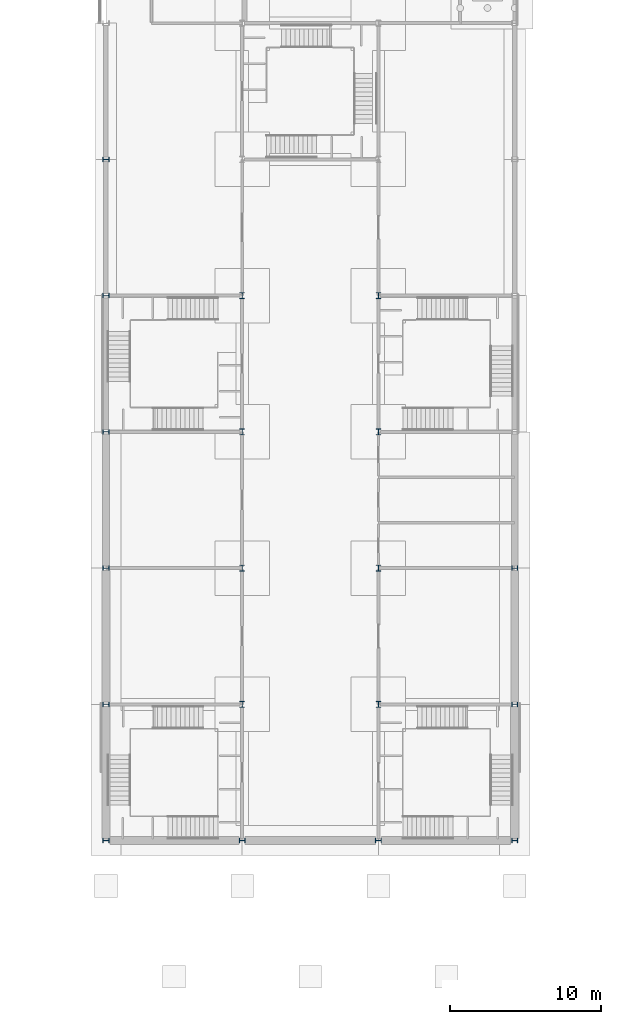
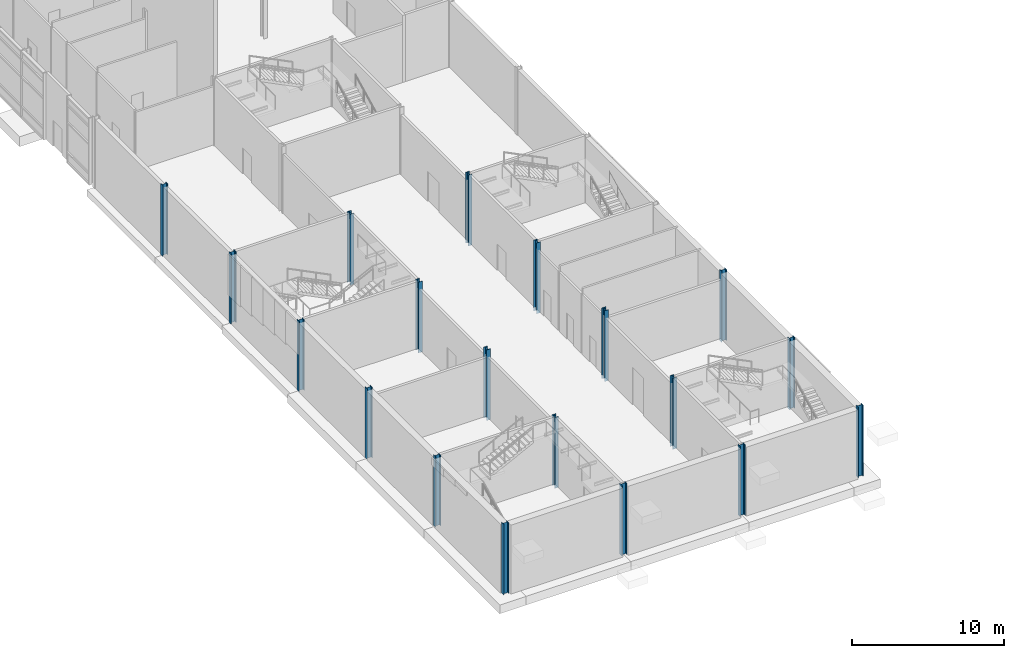
# One storey, part 4 of 45: 19 columns.
"""IFC4 building model written with IfcOpenShell, lengths in metres."""

from ifc_helpers import new_model, si_unit, direction, frame, origin, origin_2d, place, context, subcontext, project, spatial, i_section, extrude, material, material_profile, profile_set, type_object, element, save


model = new_model("IFC4")

# Units and contexts
model_context = context("Model", 3, precision=1e-05, world=origin(), true_north=direction((0.0, 1.0)))
body_context = subcontext(model_context, "Body", "Model", "MODEL_VIEW")
ifc_project = project(units=[si_unit("LENGTHUNIT", "METRE"), si_unit("AREAUNIT", "SQUARE_METRE"), si_unit("VOLUMEUNIT", "CUBIC_METRE"), si_unit("PLANEANGLEUNIT", "RADIAN"), si_unit("MASSUNIT", "GRAM", prefix="KILO")], contexts=[model_context])

# Site, building, storey
site_placement = place(None, origin())
site = spatial("IfcSite", under=ifc_project, at=site_placement, CompositionType="ELEMENT")
building_placement = place(site_placement, origin())
building = spatial("IfcBuilding", under=site, at=building_placement, Name="Azimuth Sports and Learning Centre", CompositionType="ELEMENT")
storey_placement = place(building_placement, origin())
storey = spatial("IfcBuildingStorey", under=building, at=storey_placement, Name="L00", CompositionType="ELEMENT", Elevation=0.0)

# Columns
ifc_material = material(Name="Steel S355", Category="steel")
ifc_material_profile = material_profile(ifc_material, i_section(OverallWidth=0.300048828125, OverallDepth=0.39990234375, WebThickness=0.013427734375, FlangeThickness=0.02392578125, FilletRadius=0.027099609375, at=origin_2d()), Name="HEB 400")
ifc_profile_set = profile_set([ifc_material_profile], Name="Steel S355")
column_type = type_object("IfcColumnType", Name="Column HEB 400", PredefinedType="COLUMN", material=ifc_profile_set)
for number, where, z_axis, x_axis, name in (
    (1, (72.0, 0.0, -0.300048828125), (0.0, 0.0, 1.0), (0.0, 1.0, 0.0), "Column 9A L00"),
    (2, (81.0, 0.0, -0.300048828125), (0.0, 0.0, 1.0), (0.0, 1.0, 0.0), "Column 10A L00"),
    (3, (90.0, 0.0, -0.300048828125), (0.0, 0.0, 1.0), (0.0, 1.0, 0.0), "Column 11A L00"),
    (4, (99.0, 0.0, -0.300048828125), (0.0, 0.0, 1.0), (0.0, 1.0, 0.0), "Column 12A L00"),
    (5, (72.0, 9.0, -0.300048828125), (0.0, 0.0, 1.0), (0.0, 1.0, 0.0), "Column 9B L00"),
    (6, (81.0, 9.0, -0.300048828125), (0.0, 0.0, 1.0), (1.0, 0.0, 0.0), "Column 10B L00"),
    (7, (90.0, 9.0, -0.300048828125), (0.0, 0.0, 1.0), (1.0, 0.0, 0.0), "Column 11B L00"),
    (8, (99.0, 9.0, -0.300048828125), (0.0, 0.0, 1.0), (0.0, 1.0, 0.0), "Column 12B L00"),
    (9, (72.0, 18.0, -0.300048828125), (0.0, 0.0, 1.0), (0.0, 1.0, 0.0), "Column 9C L00"),
    (10, (81.0, 18.0, -0.300048828125), (0.0, 0.0, 1.0), (1.0, 0.0, 0.0), "Column 10C L00"),
    (11, (90.0, 18.0, -0.300048828125), (0.0, 0.0, 1.0), (1.0, 0.0, 0.0), "Column 11C L00"),
    (12, (99.0, 18.0, -0.300048828125), (0.0, 0.0, 1.0), (0.0, 1.0, 0.0), "Column 12C L00"),
    (13, (72.0, 27.0, -0.300048828125), (0.0, 0.0, 1.0), (0.0, 1.0, 0.0), "Column 9D L00"),
    (14, (81.0, 27.0, -0.300048828125), (0.0, 0.0, 1.0), (1.0, 0.0, 0.0), "Column 10D L00"),
    (15, (90.0, 27.0, -0.300048828125), (0.0, 0.0, 1.0), (1.0, 0.0, 0.0), "Column 11D L00"),
    (16, (72.0, 36.0, -0.300048828125), (0.0, 0.0, 1.0), (0.0, 1.0, 0.0), "Column 9E L00"),
    (17, (81.0, 36.0, -0.300048828125), (0.0, 0.0, 1.0), (1.0, 0.0, 0.0), "Column 10E L00"),
    (18, (90.0, 36.0, -0.300048828125), (0.0, 0.0, 1.0), (1.0, 0.0, 0.0), "Column 11E L00"),
    (19, (72.0, 45.0, -0.300048828125), (0.0, 0.0, 1.0), (0.0, 1.0, 0.0), "Column 9F L00"),
):
    element("IfcColumn", number, at=place(storey_placement, frame(where, z_axis=z_axis, x_axis=x_axis)), inside=storey, type_object=column_type, Name=name, PredefinedType="COLUMN", context=body_context, shape_type="SweptSolid", body=[
        extrude(i_section(OverallWidth=0.300048828125, OverallDepth=0.39990234375, WebThickness=0.013427734375, FlangeThickness=0.02392578125, FilletRadius=0.027099609375, at=origin_2d()), origin(), (0.0, 0.0, 1.0), 5.699951171875),
    ])

save(model, "model.ifc")
